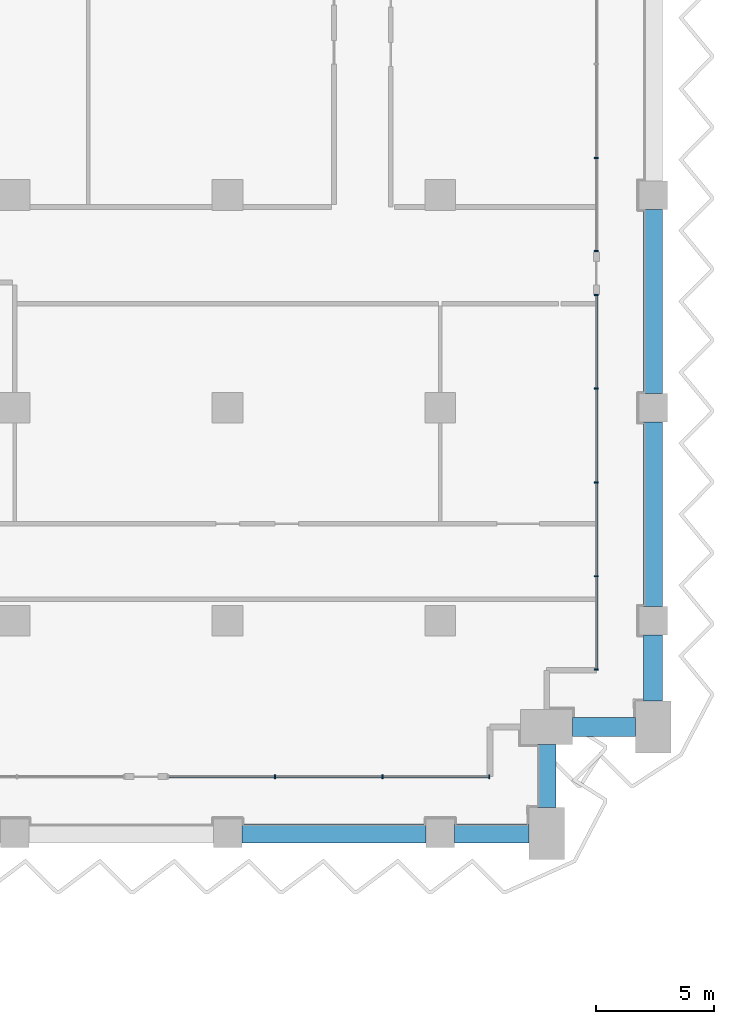
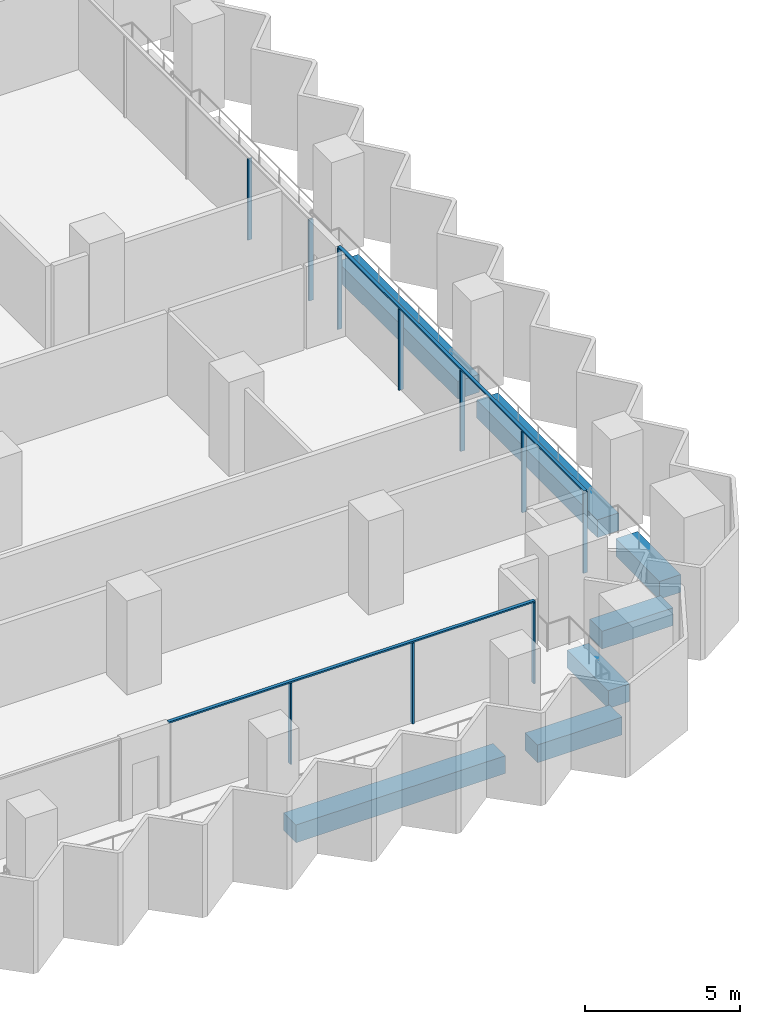
# One storey, part 5 of 23: 12 members, 7 beams, 3 elements without a shape of their own.
"""IFC4 building model written with IfcOpenShell, lengths in metres."""

from ifc_helpers import new_model, si_unit, direction, frame, origin, origin_2d, place, context, subcontext, project, spatial, rectangle, extrude, material, material_profile, profile_set, type_object, element, aggregate, save


model = new_model("IFC4")

# Units and contexts
model_context = context("Model", 3, precision=1e-05, world=origin(), true_north=direction((0.0, 1.0)))
body_context = subcontext(model_context, "Body", "Model", "MODEL_VIEW")
ifc_project = project(units=[si_unit("LENGTHUNIT", "METRE"), si_unit("AREAUNIT", "SQUARE_METRE"), si_unit("VOLUMEUNIT", "CUBIC_METRE"), si_unit("PLANEANGLEUNIT", "RADIAN"), si_unit("MASSUNIT", "GRAM", prefix="KILO")], contexts=[model_context])

# Site, building, storey
site_placement = place(None, origin())
site = spatial("IfcSite", under=ifc_project, at=site_placement, CompositionType="ELEMENT")
building_placement = place(site_placement, origin())
building = spatial("IfcBuilding", under=site, at=building_placement, Name="Hunhe Ridgeline Campus", CompositionType="ELEMENT")
storey_placement = place(building_placement, frame((0.0, 0.0, 125.5)))
storey = spatial("IfcBuildingStorey", under=building, at=storey_placement, Name="L31", CompositionType="ELEMENT", Elevation=125.5)

# Curtain wall, members
ifc_material_1 = material(Name="Aluminium 6063", Category="aluminium")
curtain_wall_type = type_object("IfcCurtainWallType", Name="Curtain wall CW-1", PredefinedType="NOTDEFINED", material=ifc_material_1)
curtain_wall_1_placement = place(storey_placement, origin())
curtain_wall_1 = element("IfcCurtainWall", 1, at=curtain_wall_1_placement, inside=storey, type_object=curtain_wall_type, Name="Curtain wall 14", PredefinedType="NOTDEFINED")
ifc_material_profile_1 = material_profile(ifc_material_1, rectangle(XDim=0.159912109375, YDim=0.06005859375, at=origin_2d()))
ifc_profile_set_1 = profile_set([ifc_material_profile_1], Name="Aluminium 6063")
member_type_1 = type_object("IfcMemberType", Name="CW-1 aluminium mullion", PredefinedType="MULLION", material=ifc_profile_set_1)
member_1_placement = place(storey_placement, frame((64.999267578125, 56.40087890625, 0.0), z_axis=(0.0, 0.0, 1.0), x_axis=(-1.4652e-07, 1.0, 0.0)))
member_1 = element("IfcMember", 2, at=member_1_placement, type_object=member_type_1, Name="CW-1 mullion 2", PredefinedType="MULLION", context=body_context, shape_type="SweptSolid", body=[
    extrude(rectangle(XDim=0.159912109375, YDim=0.06005859375, at=origin_2d()), origin(), (0.0, 0.0, 1.0), 3.18994140625),
])
member_2_placement = place(storey_placement, frame((69.549072265625, 56.40087890625, 0.0), z_axis=(0.0, 0.0, 1.0), x_axis=(-1.4652e-07, 1.0, 0.0)))
member_2 = element("IfcMember", 3, at=member_2_placement, type_object=member_type_1, Name="CW-1 mullion 3", PredefinedType="MULLION", context=body_context, shape_type="SweptSolid", body=[
    extrude(rectangle(XDim=0.159912109375, YDim=0.06005859375, at=origin_2d()), origin(), (0.0, 0.0, 1.0), 3.18994140625),
])
member_3_placement = place(storey_placement, frame((74.069091796875, 56.40087890625, 0.0), z_axis=(0.0, 0.0, 1.0), x_axis=(-1.4652e-07, 1.0, 0.0)))
member_3 = element("IfcMember", 4, at=member_3_placement, type_object=member_type_1, Name="CW-1 mullion 4", PredefinedType="MULLION", context=body_context, shape_type="SweptSolid", body=[
    extrude(rectangle(XDim=0.159912109375, YDim=0.06005859375, at=origin_2d()), origin(), (0.0, 0.0, 1.0), 3.18994140625),
])

curtain_wall_2_placement = place(storey_placement, origin())
curtain_wall_2 = element("IfcCurtainWall", 5, at=curtain_wall_2_placement, inside=storey, type_object=curtain_wall_type, Name="Curtain wall 15", PredefinedType="NOTDEFINED")
member_4_placement = place(storey_placement, frame((78.59912109375, 60.930908203125, 0.0), z_axis=(0.0, 0.0, 1.0), x_axis=(-1.0, 0.0, 0.0)))
member_4 = element("IfcMember", 6, at=member_4_placement, type_object=member_type_1, Name="CW-1 mullion 1", PredefinedType="MULLION", context=body_context, shape_type="SweptSolid", body=[
    extrude(rectangle(XDim=0.159912109375, YDim=0.06005859375, at=origin_2d()), origin(), (0.0, 0.0, 1.0), 3.18994140625),
])
member_5_placement = place(storey_placement, frame((78.59912109375, 64.8759765625, 0.0), z_axis=(0.0, 0.0, 1.0), x_axis=(-1.0, 0.0, 0.0)))
member_5 = element("IfcMember", 7, at=member_5_placement, type_object=member_type_1, Name="CW-1 mullion 2", PredefinedType="MULLION", context=body_context, shape_type="SweptSolid", body=[
    extrude(rectangle(XDim=0.159912109375, YDim=0.06005859375, at=origin_2d()), origin(), (0.0, 0.0, 1.0), 3.18994140625),
])
member_6_placement = place(storey_placement, frame((78.59912109375, 68.850830078125, 0.0), z_axis=(0.0, 0.0, 1.0), x_axis=(-1.0, 0.0, 0.0)))
member_6 = element("IfcMember", 8, at=member_6_placement, type_object=member_type_1, Name="CW-1 mullion 3", PredefinedType="MULLION", context=body_context, shape_type="SweptSolid", body=[
    extrude(rectangle(XDim=0.159912109375, YDim=0.06005859375, at=origin_2d()), origin(), (0.0, 0.0, 1.0), 3.18994140625),
])
member_7_placement = place(storey_placement, frame((78.59912109375, 72.82568359375, 0.0), z_axis=(0.0, 0.0, 1.0), x_axis=(-1.0, 0.0, 0.0)))
member_7 = element("IfcMember", 9, at=member_7_placement, type_object=member_type_1, Name="CW-1 mullion 4", PredefinedType="MULLION", context=body_context, shape_type="SweptSolid", body=[
    extrude(rectangle(XDim=0.159912109375, YDim=0.06005859375, at=origin_2d()), origin(), (0.0, 0.0, 1.0), 3.18994140625),
])
member_8_placement = place(storey_placement, frame((78.59912109375, 76.7705078125, 0.0), z_axis=(0.0, 0.0, 1.0), x_axis=(-1.0, 0.0, 0.0)))
member_8 = element("IfcMember", 10, at=member_8_placement, type_object=member_type_1, Name="CW-1 mullion 5", PredefinedType="MULLION", context=body_context, shape_type="SweptSolid", body=[
    extrude(rectangle(XDim=0.159912109375, YDim=0.06005859375, at=origin_2d()), origin(), (0.0, 0.0, 1.0), 3.18994140625),
])

curtain_wall_3_placement = place(storey_placement, origin())
curtain_wall_3 = element("IfcCurtainWall", 11, at=curtain_wall_3_placement, inside=storey, type_object=curtain_wall_type, Name="Curtain wall 16", PredefinedType="NOTDEFINED")
member_9_placement = place(storey_placement, frame((78.59912109375, 78.630615234375, 0.0), z_axis=(0.0, 0.0, 1.0), x_axis=(-1.0, 0.0, 0.0)))
member_9 = element("IfcMember", 12, at=member_9_placement, type_object=member_type_1, Name="CW-1 mullion 1", PredefinedType="MULLION", context=body_context, shape_type="SweptSolid", body=[
    extrude(rectangle(XDim=0.159912109375, YDim=0.06005859375, at=origin_2d()), origin(), (0.0, 0.0, 1.0), 3.18994140625),
])
member_10_placement = place(storey_placement, frame((78.59912109375, 82.575439453125, 0.0), z_axis=(0.0, 0.0, 1.0), x_axis=(-1.0, 0.0, 0.0)))
member_10 = element("IfcMember", 13, at=member_10_placement, type_object=member_type_1, Name="CW-1 mullion 2", PredefinedType="MULLION", context=body_context, shape_type="SweptSolid", body=[
    extrude(rectangle(XDim=0.159912109375, YDim=0.06005859375, at=origin_2d()), origin(), (0.0, 0.0, 1.0), 3.18994140625),
])
aggregate(curtain_wall_3, [member_9, member_10])

# Member
ifc_material_profile_2 = material_profile(ifc_material_1, rectangle(XDim=0.1201171875, YDim=0.06005859375, at=origin_2d()))
ifc_profile_set_2 = profile_set([ifc_material_profile_2], Name="Aluminium 6063")
member_type_2 = type_object("IfcMemberType", Name="CW-1 aluminium transom", PredefinedType="USERDEFINED", material=ifc_profile_set_2)
member_11_placement = place(storey_placement, frame((60.449462890625, 56.40087890625, 3.219970703125), z_axis=(1.0, 0.0, 0.0), x_axis=(0.0, 1.0, 0.0)))
member_11 = element("IfcMember", 14, at=member_11_placement, type_object=member_type_2, Name="CW-1 transom 1", ObjectType="TRANSOM", PredefinedType="USERDEFINED", context=body_context, shape_type="SweptSolid", body=[
    extrude(rectangle(XDim=0.1201171875, YDim=0.06005859375, at=origin_2d()), origin(), (0.0, 0.0, 1.0), 13.649658203125),
])

aggregate(curtain_wall_1, [member_11, member_1, member_2, member_3])

member_12_placement = place(storey_placement, frame((78.59912109375, 60.90087890625, 3.219970703125), z_axis=(0.0, 1.0, 0.0), x_axis=(-1.0, 0.0, 0.0)))
member_12 = element("IfcMember", 15, at=member_12_placement, type_object=member_type_2, Name="CW-1 transom 1", ObjectType="TRANSOM", PredefinedType="USERDEFINED", context=body_context, shape_type="SweptSolid", body=[
    extrude(rectangle(XDim=0.1201171875, YDim=0.06005859375, at=origin_2d()), origin(), (0.0, 0.0, 1.0), 15.899658203125),
])

aggregate(curtain_wall_2, [member_12, member_4, member_5, member_6, member_7, member_8])

# Beams
ifc_material_2 = material(Name="Concrete C60", Category="concrete")
ifc_material_profile_3 = material_profile(ifc_material_2, rectangle(XDim=0.800048828125, YDim=0.699951171875, at=origin_2d()))
ifc_profile_set_3 = profile_set([ifc_material_profile_3], Name="Concrete C60")
beam_type = type_object("IfcBeamType", Name="RC spandrel beam 800x700 Concrete C60", PredefinedType="SPANDREL", material=ifc_profile_set_3)
beam_1_placement = place(storey_placement, frame((63.60009765625, 54.0, -0.60009765625), z_axis=(1.0, 0.0, 0.0), x_axis=(0.0, 1.0, 0.0)))
element("IfcBeam", 16, at=beam_1_placement, inside=storey, type_object=beam_type, Name="Spandrel beam B1-14 L31", PredefinedType="SPANDREL", context=body_context, shape_type="SweptSolid", body=[
    extrude(rectangle(XDim=0.800048828125, YDim=0.699951171875, at=origin_2d()), origin(), (0.0, 0.0, 1.0), 7.7998046875),
])
beam_2_placement = place(storey_placement, frame((72.60009765625, 54.0, -0.60009765625), z_axis=(1.0, 0.0, 0.0), x_axis=(0.0, 1.0, 0.0)))
element("IfcBeam", 17, at=beam_2_placement, inside=storey, type_object=beam_type, Name="Spandrel beam B1-15 L31", PredefinedType="SPANDREL", context=body_context, shape_type="SweptSolid", body=[
    extrude(rectangle(XDim=0.800048828125, YDim=0.699951171875, at=origin_2d()), origin(), (0.0, 0.0, 1.0), 3.14990234375),
])
for number, where, z_axis, x_axis, name in (
    (18, (76.5, 55.10009765625, -0.60009765625), (0.0, 1.0, 0.0), (-1.0, 0.0, 0.0), "Spandrel beam B1-16 L31"),
    (19, (77.60009765625, 58.5, -0.60009765625), (1.0, 0.0, 0.0), (0.0, 1.0, 0.0), "Spandrel beam B1-17 L31"),
):
    element("IfcBeam", number, at=place(storey_placement, frame(where, z_axis=z_axis, x_axis=x_axis)), inside=storey, type_object=beam_type, Name=name, PredefinedType="SPANDREL", context=body_context, shape_type="SweptSolid", body=[
        extrude(rectangle(XDim=0.800048828125, YDim=0.699951171875, at=origin_2d()), origin(), (0.0, 0.0, 1.0), 2.64990234375),
    ])
beam_3_placement = place(storey_placement, frame((81.0, 59.60009765625, -0.60009765625), z_axis=(0.0, 1.0, 0.0), x_axis=(-1.0, 0.0, 0.0)))
element("IfcBeam", 20, at=beam_3_placement, inside=storey, type_object=beam_type, Name="Spandrel beam B1-18 L31", PredefinedType="SPANDREL", context=body_context, shape_type="SweptSolid", body=[
    extrude(rectangle(XDim=0.800048828125, YDim=0.699951171875, at=origin_2d()), origin(), (0.0, 0.0, 1.0), 2.7998046875),
])
for number, where, z_axis, x_axis, name in (
    (21, (81.0, 63.60009765625, -0.60009765625), (0.0, 1.0, 0.0), (-1.0, 0.0, 0.0), "Spandrel beam B1-19 L31"),
    (22, (81.0, 72.60009765625, -0.60009765625), (0.0, 1.0, 0.0), (-1.0, 0.0, 0.0), "Spandrel beam B1-20 L31"),
):
    element("IfcBeam", number, at=place(storey_placement, frame(where, z_axis=z_axis, x_axis=x_axis)), inside=storey, type_object=beam_type, Name=name, PredefinedType="SPANDREL", context=body_context, shape_type="SweptSolid", body=[
        extrude(rectangle(XDim=0.800048828125, YDim=0.699951171875, at=origin_2d()), origin(), (0.0, 0.0, 1.0), 7.7998046875),
    ])

save(model, "model.ifc")
